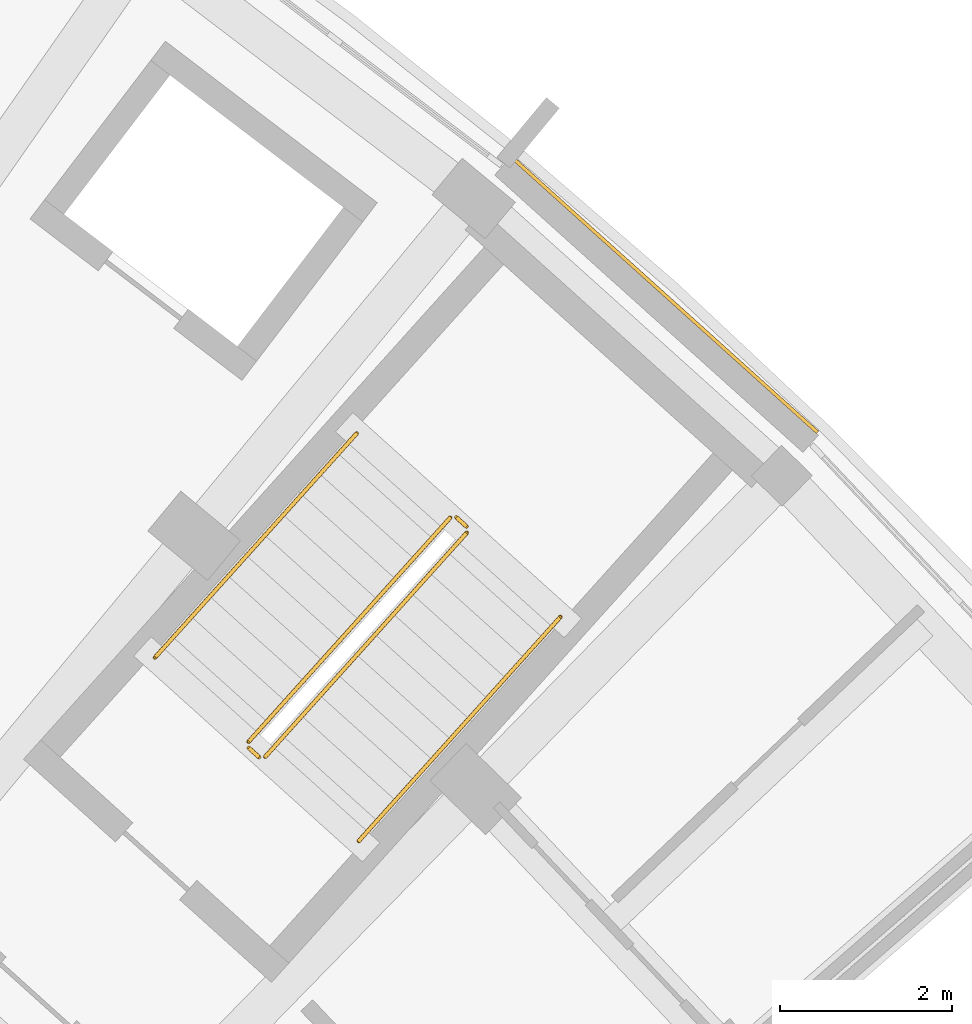
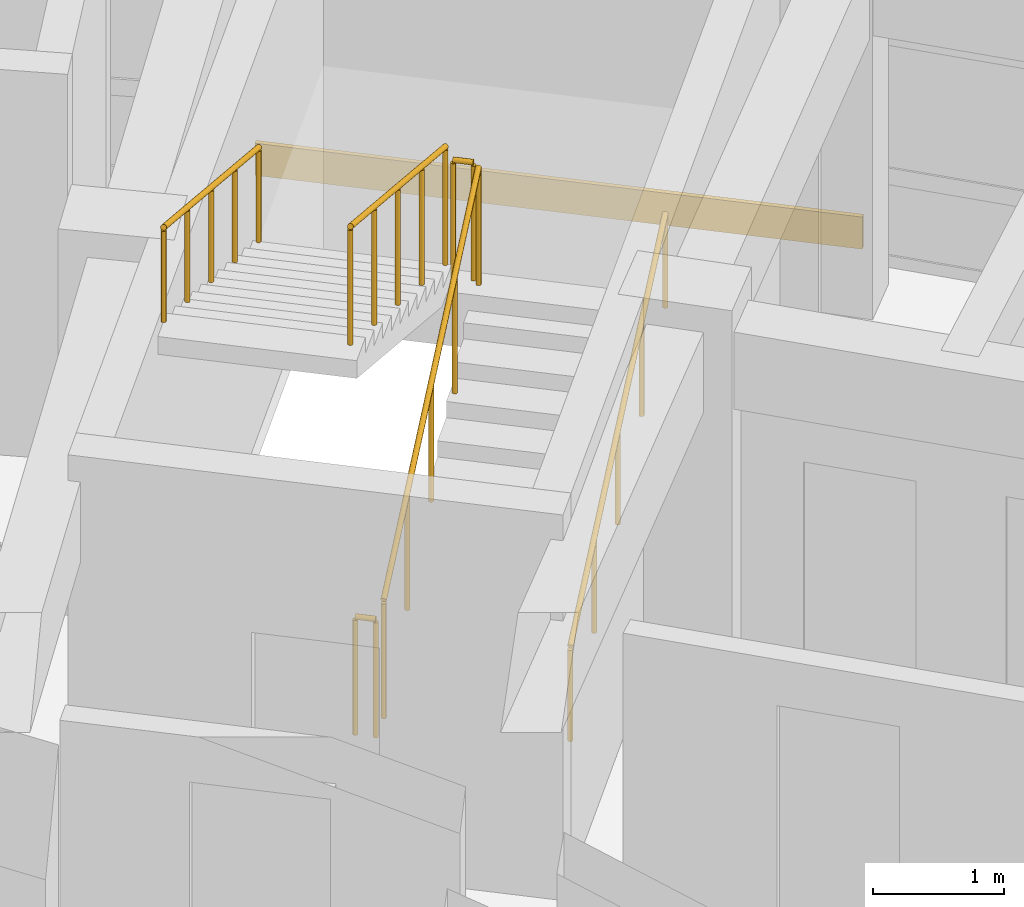
# One storey, part 79 of 83: 6 railings, 1 covering.
"""IFC4 building model written with IfcOpenShell, lengths in metres."""

from ifc_helpers import new_model, si_unit, direction, frame, origin, origin_2d, place, context, subcontext, project, spatial, rectangle, circle, extrude, material, layer, layer_set, type_object, element, save


model = new_model("IFC4")

# Units and contexts
model_context = context("Model", 3, precision=1e-05, world=origin(), true_north=direction((0.0, 1.0)))
body_context = subcontext(model_context, "Body", "Model", "MODEL_VIEW")
ifc_project = project(units=[si_unit("LENGTHUNIT", "METRE"), si_unit("AREAUNIT", "SQUARE_METRE"), si_unit("VOLUMEUNIT", "CUBIC_METRE"), si_unit("PLANEANGLEUNIT", "RADIAN"), si_unit("MASSUNIT", "GRAM", prefix="KILO")], contexts=[model_context])

# Site, building, storey
site_placement = place(None, origin())
site = spatial("IfcSite", under=ifc_project, at=site_placement, CompositionType="ELEMENT")
building_placement = place(site_placement, origin())
building = spatial("IfcBuilding", under=site, at=building_placement, Name="Zimvara Arc Housing Community", CompositionType="ELEMENT")
storey_placement = place(building_placement, frame((0.0, 0.0, 4.5)))
storey = spatial("IfcBuildingStorey", under=building, at=storey_placement, Name="L01", CompositionType="ELEMENT", Elevation=4.5)

# Covering
ifc_material_1 = material(Name="Pale-Gold Anodised Aluminium Cladding", Category="aluminium")
ifc_layer = layer(ifc_material_1, 0.0400390625)
ifc_layer_set = layer_set([ifc_layer], Name="Pale-Gold Anodised Aluminium Cladding")
covering_type = type_object("IfcCoveringType", Name="CLD-GOLD-01", PredefinedType="CLADDING", material=ifc_layer_set)
covering_placement = place(storey_placement, frame((84.7861328125, 88.718017578125, 0.009765625), z_axis=(0.0, 0.0, 1.0), x_axis=(0.74337718344, -0.668872456557, 0.0)))
element("IfcCovering", 1, at=covering_placement, inside=storey, type_object=covering_type, Name="cld:blkB:L01:out:b8", PredefinedType="CLADDING", context=body_context, shape_type="SweptSolid", body=[
    extrude(rectangle(XDim=4.748779296875, YDim=0.0400390625, at=origin_2d()), origin(), (0.0, 0.0, 1.0), 0.300048828125),
])

# Railings
ifc_material_2 = material(Name="Anodised Aluminium AW-6063", Category="aluminium")
railing_type_1 = type_object("IfcRailingType", Name="RLG-BAL-1120", PredefinedType="BALUSTRADE", material=ifc_material_2)
railing_1_placement = place(storey_placement, frame((80.1455078125, 83.365966796875, 0.14990234375)))
element("IfcRailing", 2, at=railing_1_placement, inside=storey, type_object=railing_type_1, Name="L01 ST-B2 stair guard 1", PredefinedType="BALUSTRADE", context=body_context, shape_type="SweptSolid", body=[
    extrude(circle(Radius=0.02392578125, at=origin_2d()), frame((0.0, 0.0, 1.09619140625), z_axis=(0.604919664924, 0.67233636138, 0.42665678965), x_axis=(-0.743394782569, 0.668852896569, 0.0)), (0.0, 0.0, 1.0), 3.86767578125),
    extrude(circle(Radius=0.02099609375, at=origin_2d()), origin(), (0.0, 0.0, 1.0), 1.072021484375),
    extrude(circle(Radius=0.02099609375, at=origin_2d()), frame((0.5849609375, 0.650146484375, 0.41259765625)), (0.0, 0.0, 1.0), 1.072021484375),
    extrude(circle(Radius=0.02099609375, at=origin_2d()), frame((1.169921875, 1.30029296875, 0.8251953125)), (0.0, 0.0, 1.0), 1.072021484375),
    extrude(circle(Radius=0.02099609375, at=origin_2d()), frame((1.754638671875, 1.9501953125, 1.237548828125)), (0.0, 0.0, 1.0), 1.072021484375),
    extrude(circle(Radius=0.02099609375, at=origin_2d()), frame((2.339599609375, 2.600341796875, 1.650146484375)), (0.0, 0.0, 1.0), 1.072021484375),
])
railing_2_placement = place(storey_placement, frame((82.4814453125, 86.037109375, 1.800048828125)))
element("IfcRailing", 3, at=railing_2_placement, inside=storey, type_object=railing_type_1, Name="L01 ST-B2 stair guard 2", PredefinedType="BALUSTRADE", context=body_context, shape_type="SweptSolid", body=[
    extrude(circle(Radius=0.02392578125, at=origin_2d()), frame((0.0, 0.0, 1.09619140625), z_axis=(-0.743521848755, 0.668711642207, 0.0), x_axis=(-0.668711642207, -0.743521848755, 0.0)), (0.0, 0.0, 1.0), 0.159912109375),
    extrude(circle(Radius=0.02099609375, at=origin_2d()), origin(), (0.0, 0.0, 1.0), 1.072021484375),
    extrude(circle(Radius=0.02099609375, at=origin_2d()), frame((-0.118896484375, 0.10693359375, 0.0)), (0.0, 0.0, 1.0), 1.072021484375),
])
railing_3_placement = place(storey_placement, frame((82.2919921875, 86.140380859375, 1.949951171875)))
element("IfcRailing", 4, at=railing_3_placement, inside=storey, type_object=railing_type_1, Name="L01 ST-B2 stair guard 3", PredefinedType="BALUSTRADE", context=body_context, shape_type="SweptSolid", body=[
    extrude(circle(Radius=0.02392578125, at=origin_2d()), frame((0.0, 0.0, 1.09619140625), z_axis=(-0.604959687962, -0.672310688281, 0.426640497802), x_axis=(0.743360079212, -0.668891465512, 0.0)), (0.0, 0.0, 1.0), 3.86767578125),
    extrude(circle(Radius=0.02099609375, at=origin_2d()), origin(), (0.0, 0.0, 1.0), 1.072021484375),
    extrude(circle(Radius=0.02099609375, at=origin_2d()), frame((-0.5849609375, -0.650146484375, 0.41259765625)), (0.0, 0.0, 1.0), 1.072021484375),
    extrude(circle(Radius=0.02099609375, at=origin_2d()), frame((-1.169921875, -1.30029296875, 0.8251953125)), (0.0, 0.0, 1.0), 1.072021484375),
    extrude(circle(Radius=0.02099609375, at=origin_2d()), frame((-1.7548828125, -1.9501953125, 1.237548828125)), (0.0, 0.0, 1.0), 1.072021484375),
    extrude(circle(Radius=0.02099609375, at=origin_2d()), frame((-2.33984375, -2.600341796875, 1.650146484375)), (0.0, 0.0, 1.0), 1.072021484375),
])
railing_4_placement = place(storey_placement, frame((80.074951171875, 83.3623046875, 0.0)))
element("IfcRailing", 5, at=railing_4_placement, inside=storey, type_object=railing_type_1, Name="L01 ST-B2 stair guard 4", PredefinedType="BALUSTRADE", context=body_context, shape_type="SweptSolid", body=[
    extrude(circle(Radius=0.02392578125, at=origin_2d()), frame((0.0, 0.0, 1.09619140625), z_axis=(-0.742763048172, 0.669554369913, 0.0), x_axis=(-0.669554369913, -0.742763048172, 0.0)), (0.0, 0.0, 1.0), 0.16015625),
    extrude(circle(Radius=0.02099609375, at=origin_2d()), origin(), (0.0, 0.0, 1.0), 1.072021484375),
    extrude(circle(Radius=0.02099609375, at=origin_2d()), frame((-0.118896484375, 0.107177734375, 0.0)), (0.0, 0.0, 1.0), 1.072021484375),
])
ifc_material_3 = material(Name="Anodised Aluminium AW-6063", Category="aluminium")
railing_type_2 = type_object("IfcRailingType", Name="RLG-HND-900", PredefinedType="HANDRAIL", material=ifc_material_3)
railing_5_placement = place(storey_placement, frame((81.230712890625, 82.389404296875, 0.14990234375)))
element("IfcRailing", 6, at=railing_5_placement, inside=storey, type_object=railing_type_2, Name="L01 ST-B2 stair handrail 1", PredefinedType="HANDRAIL", context=body_context, shape_type="SweptSolid", body=[
    extrude(circle(Radius=0.02392578125, at=origin_2d()), frame((0.0, 0.0, 0.8759765625), z_axis=(0.604959687962, 0.672310688281, 0.426640497802), x_axis=(-0.743360079212, 0.668891465512, 0.0)), (0.0, 0.0, 1.0), 3.86767578125),
    extrude(circle(Radius=0.02099609375, at=origin_2d()), origin(), (0.0, 0.0, 1.0), 0.851806640625),
    extrude(circle(Radius=0.02099609375, at=origin_2d()), frame((0.5849609375, 0.650146484375, 0.41259765625)), (0.0, 0.0, 1.0), 0.851806640625),
    extrude(circle(Radius=0.02099609375, at=origin_2d()), frame((1.169921875, 1.30029296875, 0.8251953125)), (0.0, 0.0, 1.0), 0.851806640625),
    extrude(circle(Radius=0.02099609375, at=origin_2d()), frame((1.7548828125, 1.9501953125, 1.237548828125)), (0.0, 0.0, 1.0), 0.851806640625),
    extrude(circle(Radius=0.02099609375, at=origin_2d()), frame((2.33984375, 2.600341796875, 1.650146484375)), (0.0, 0.0, 1.0), 0.851806640625),
])
railing_6_placement = place(storey_placement, frame((81.20654296875, 87.116943359375, 1.949951171875)))
element("IfcRailing", 7, at=railing_6_placement, inside=storey, type_object=railing_type_2, Name="L01 ST-B2 stair handrail 2", PredefinedType="HANDRAIL", context=body_context, shape_type="SweptSolid", body=[
    extrude(circle(Radius=0.02392578125, at=origin_2d()), frame((0.0, 0.0, 0.8759765625), z_axis=(-0.604919664924, -0.67233636138, 0.42665678965), x_axis=(0.743394782569, -0.668852896569, 0.0)), (0.0, 0.0, 1.0), 3.86767578125),
    extrude(circle(Radius=0.02099609375, at=origin_2d()), origin(), (0.0, 0.0, 1.0), 0.851806640625),
    extrude(circle(Radius=0.02099609375, at=origin_2d()), frame((-0.5849609375, -0.650146484375, 0.41259765625)), (0.0, 0.0, 1.0), 0.851806640625),
    extrude(circle(Radius=0.02099609375, at=origin_2d()), frame((-1.169921875, -1.30029296875, 0.8251953125)), (0.0, 0.0, 1.0), 0.851806640625),
    extrude(circle(Radius=0.02099609375, at=origin_2d()), frame((-1.754638671875, -1.9501953125, 1.237548828125)), (0.0, 0.0, 1.0), 0.851806640625),
    extrude(circle(Radius=0.02099609375, at=origin_2d()), frame((-2.339599609375, -2.600341796875, 1.650146484375)), (0.0, 0.0, 1.0), 0.851806640625),
])

save(model, "model.ifc")
